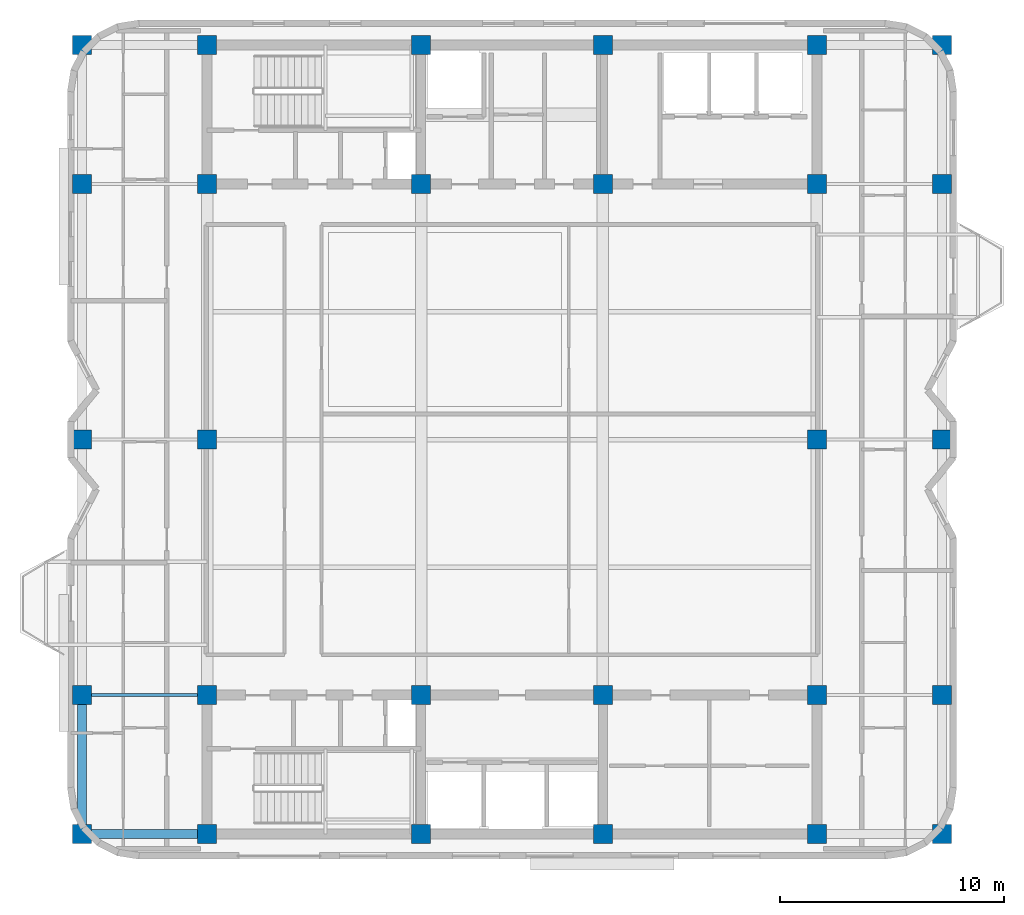
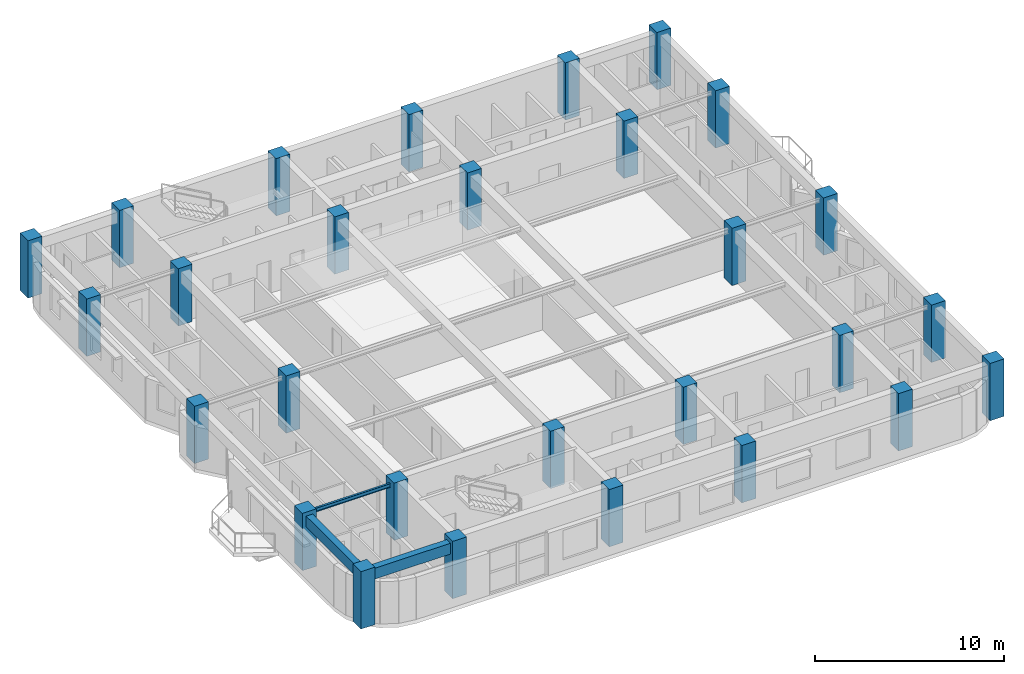
# One storey, part 1 of 12: 28 columns, 3 beams.
"""IFC4 building model written with IfcOpenShell, lengths in metres."""

import ifcopenshell
import ifcopenshell.guid

model = None  # the IFC model being written
_history = None  # IfcOwnerHistory: only IFC2X3 demands one
_inside = {}  # id of a spatial element -> (the spatial element, [elements in it])
_under = {}  # id of a project, library or spatial element -> (it, [spatial elements below it])
_declared = {}  # id of a project -> (the project, [libraries it declares])
_typed = {}  # id of a type object -> (the type object, [elements of that type])
_made_of = {}  # id of a material, layer set ... -> (it, [elements and type objects made of it])


def new_model(schema):
    """Start an empty IFC model of exactly this schema.

    Asked for "IFC4X3", IfcOpenShell would pick the latest addendum, in which some entities
    have other attributes; the version numbers below select the first issue.
    IFC2X3 requires an IfcOwnerHistory on every rooted entity: one is made here for all.
    """
    global model, _history
    if schema == "IFC4X3":
        model = ifcopenshell.file(schema_version=(4, 3, 0, 0))
    else:
        model = ifcopenshell.file(schema=schema)
    _inside.clear()
    _under.clear()
    _declared.clear()
    _typed.clear()
    _made_of.clear()
    _history = None
    if model.schema == "IFC2X3":
        org = make("IfcOrganization", Name="unknown")
        user = make(
            "IfcPersonAndOrganization",
            ThePerson=make("IfcPerson", FamilyName="unknown"),
            TheOrganization=org,
        )
        app = make(
            "IfcApplication",
            ApplicationDeveloper=org,
            Version="unknown",
            ApplicationFullName="unknown",
            ApplicationIdentifier="unknown",
        )
        _history = make(
            "IfcOwnerHistory",
            OwningUser=user,
            OwningApplication=app,
            ChangeAction="ADDED",
            CreationDate=0,
        )
    return model


def make(cls, **values):
    """One entity of the class cls with the attributes given. An attribute that is None is left unset."""
    return model.create_entity(
        cls, **{name: value for name, value in values.items() if value is not None}
    )


def rooted(cls, **values):
    """An entity with a GlobalId (a new one), such as an element, a storey or a relation."""
    return make(cls, GlobalId=ifcopenshell.guid.new(), OwnerHistory=_history, **values)


def si_unit(unit_type, name, prefix=None):
    """IfcSIUnit, for example si_unit("LENGTHUNIT", "METRE", prefix="MILLI")."""
    return make("IfcSIUnit", UnitType=unit_type, Prefix=prefix, Name=name)


def assignment(units):
    """IfcUnitAssignment: the units of a project."""
    return None if units is None else make("IfcUnitAssignment", Units=units)


def point(xyz):
    """IfcCartesianPoint."""
    return None if xyz is None else make("IfcCartesianPoint", Coordinates=xyz)


def direction(xyz):
    """IfcDirection."""
    return None if xyz is None else make("IfcDirection", DirectionRatios=xyz)


def frame(location, z_axis=None, x_axis=None):
    """IfcAxis2Placement3D, a coordinate frame: its origin and axes. An axis left out is left unset."""
    return make(
        "IfcAxis2Placement3D",
        Location=point(location),
        Axis=direction(z_axis),
        RefDirection=direction(x_axis),
    )


def frame_2d(location, x_axis=None):
    """IfcAxis2Placement2D, a coordinate frame in the plane: its origin and x axis."""
    return make(
        "IfcAxis2Placement2D", Location=point(location), RefDirection=direction(x_axis)
    )


def origin():
    """The frame at (0, 0, 0) with its axes left unset."""
    return frame((0.0, 0.0, 0.0))


def origin_2d():
    """The frame at (0, 0) in the plane with its x axis left unset."""
    return frame_2d((0.0, 0.0))


def place(relative_to, where):
    """IfcLocalPlacement: puts the frame where relative to a parent placement (None: the world)."""
    return make(
        "IfcLocalPlacement", PlacementRelTo=relative_to, RelativePlacement=where
    )


def context(
    kind, dimensions, precision=None, world=None, true_north=None, identifier=None
):
    """IfcGeometricRepresentationContext, for example the 3D "Model" context."""
    return make(
        "IfcGeometricRepresentationContext",
        ContextIdentifier=identifier,
        ContextType=kind,
        CoordinateSpaceDimension=dimensions,
        Precision=precision,
        WorldCoordinateSystem=world,
        TrueNorth=true_north,
    )


def subcontext(parent, identifier, kind, view, scale=None):
    """IfcGeometricRepresentationSubContext, for example "Body" below "Model"."""
    return make(
        "IfcGeometricRepresentationSubContext",
        ContextIdentifier=identifier,
        ContextType=kind,
        ParentContext=parent,
        TargetScale=scale,
        TargetView=view,
    )


def project(units=None, contexts=None):
    """IfcProject with its units and contexts."""
    return rooted(
        "IfcProject",
        Name="project",
        RepresentationContexts=contexts,
        UnitsInContext=assignment(units),
    )


def spatial(cls, under=None, at=None, **own):
    """A site, building, storey or space (cls), placed at a placement, below another one or the project."""
    s = rooted(cls, ObjectPlacement=at, **own)
    if under is not None:
        _under.setdefault(under.id(), (under, []))[1].append(s)
    return s


def profile(cls, at=None, kind="AREA", **sizes):
    """A parametric profile (cls). Its sizes go by their IFC names, for example OverallWidth=200.0."""
    return make(cls, ProfileType=kind, Position=at, **sizes)


def rectangle(**sizes):
    """IfcRectangleProfileDef."""
    return profile("IfcRectangleProfileDef", **sizes)


def i_section(**sizes):
    """IfcIShapeProfileDef."""
    return profile("IfcIShapeProfileDef", **sizes)


def extrude(swept, where, along, depth):
    """IfcExtrudedAreaSolid: the profile swept, set in the frame where, extruded along a direction by depth."""
    return make(
        "IfcExtrudedAreaSolid",
        SweptArea=swept,
        Position=where,
        ExtrudedDirection=direction(along),
        Depth=depth,
    )


def shape(context_of_items, identifier, shape_type, items):
    """IfcShapeRepresentation: the items that make up one representation, for example the "Body"."""
    return make(
        "IfcShapeRepresentation",
        ContextOfItems=context_of_items,
        RepresentationIdentifier=identifier,
        RepresentationType=shape_type,
        Items=items,
    )


def material(Name=None, Category=None):
    """IfcMaterial."""
    return make("IfcMaterial", Name=Name, Category=Category)


def material_profile(
    of_material, cross_section, Name=None, Category=None, Priority=None
):
    """IfcMaterialProfile: a cross section and its material."""
    return make(
        "IfcMaterialProfile",
        Name=Name,
        Material=of_material,
        Profile=cross_section,
        Priority=Priority,
        Category=Category,
    )


def profile_set(profiles, Name=None, composite=None):
    """IfcMaterialProfileSet."""
    return make(
        "IfcMaterialProfileSet",
        Name=Name,
        MaterialProfiles=profiles,
        CompositeProfile=composite,
    )


def made_of(thing, what):
    """Note that an element or type object is made of a material, layer set ...; save() writes the relation."""
    if what is not None:
        _made_of.setdefault(what.id(), (what, []))[1].append(thing)
    return thing


def type_object(cls, material=None, **own):
    """A type object (cls), such as IfcWallType, which elements share."""
    return made_of(rooted(cls, **own), material)


def element(
    cls,
    number,
    at=None,
    inside=None,
    cuts=None,
    type_object=None,
    material=None,
    context=None,
    identifier="Body",
    shape_type=None,
    held_by="IfcProductDefinitionShape",
    body=None,
    shapes=None,
    **own,
):
    """One element of the class cls, such as IfcWall. Its Tag is "e" and its number.

    at: its placement. inside: the storey or other place that contains it. cuts: it is an
    opening in that element (IfcRelVoidsElement). A single representation is given by context,
    identifier, shape_type and body (its items); several are given by shapes. held_by: the class
    of the entity that holds the representations. save() writes the other relations.
    """
    e = rooted(cls, Tag="e%d" % number, ObjectPlacement=at, **own)
    if body is not None:
        shapes = [shape(context, identifier, shape_type, body)]
    if shapes is not None:
        e.Representation = make(held_by, Representations=shapes)
    if inside is not None:
        _inside.setdefault(inside.id(), (inside, []))[1].append(e)
    if cuts is not None:
        rooted(
            "IfcRelVoidsElement", RelatingBuildingElement=cuts, RelatedOpeningElement=e
        )
    if type_object is not None:
        _typed.setdefault(type_object.id(), (type_object, []))[1].append(e)
    return made_of(e, material)


def aggregate(whole, parts):
    """IfcRelAggregates: a whole, such as a stair, and the parts it consists of."""
    return rooted("IfcRelAggregates", RelatingObject=whole, RelatedObjects=parts)


def save(model, path):
    """Write the relations noted so far, then the file.

    IfcRelAggregates (storeys below a building ...), IfcRelContainedInSpatialStructure (elements
    in a storey), IfcRelDefinesByType, IfcRelAssociatesMaterial and IfcRelDeclares: one each for
    every whole, place, type object, material and project.
    """
    for whole, parts in _under.values():
        aggregate(whole, parts)
    for where, things in _inside.values():
        rooted(
            "IfcRelContainedInSpatialStructure",
            RelatedElements=things,
            RelatingStructure=where,
        )
    for kind, things in _typed.values():
        rooted("IfcRelDefinesByType", RelatedObjects=things, RelatingType=kind)
    for what, things in _made_of.values():
        rooted("IfcRelAssociatesMaterial", RelatedObjects=things, RelatingMaterial=what)
    for by, libraries in _declared.values():
        rooted("IfcRelDeclares", RelatingContext=by, RelatedDefinitions=libraries)
    model.write(path)


model = new_model("IFC4")

# Units and contexts
model_context = context("Model", 3, precision=1e-05, world=origin(), true_north=direction((0.0, 1.0)))
body_context = subcontext(model_context, "Body", "Model", "MODEL_VIEW")
ifc_project = project(units=[si_unit("LENGTHUNIT", "METRE"), si_unit("AREAUNIT", "SQUARE_METRE"), si_unit("VOLUMEUNIT", "CUBIC_METRE"), si_unit("PLANEANGLEUNIT", "RADIAN"), si_unit("MASSUNIT", "GRAM", prefix="KILO")], contexts=[model_context])

# Site, building, storey
site_placement = place(None, origin())
site = spatial("IfcSite", under=ifc_project, at=site_placement, CompositionType="ELEMENT")
building_placement = place(site_placement, origin())
building = spatial("IfcBuilding", under=site, at=building_placement, Name="Svetorya Sky Lyceum", CompositionType="ELEMENT")
storey_placement = place(building_placement, frame((0.0, 0.0, 236.89990234375)))
storey = spatial("IfcBuildingStorey", under=building, at=storey_placement, Name="L59", CompositionType="ELEMENT", Elevation=236.89990234375)

# Columns
ifc_material_1 = material(Name="Concrete C50/60", Category="concrete")
ifc_material_profile_1 = material_profile(ifc_material_1, rectangle(XDim=0.85009765625, YDim=0.85009765625, at=origin_2d()), Name="RC COL 850x850")
ifc_profile_set_1 = profile_set([ifc_material_profile_1], Name="Concrete C50/60")
column_type = type_object("IfcColumnType", Name="COL-RC-850", PredefinedType="COLUMN", material=ifc_profile_set_1)
for number, where, z_axis, x_axis, name in (
    (1, (25.60009765625, 10.60009765625, 0.0), (0.0, 0.0, 1.0), (1.0, 0.0, 0.0), "L59 Core Column CS-11"),
    (2, (25.60009765625, 16.800048828125, 0.0), (0.0, 0.0, 1.0), (1.0, 0.0, 0.0), "L59 Core Column CS-12"),
    (3, (35.14990234375, 10.60009765625, 0.0), (0.0, 0.0, 1.0), (1.0, 0.0, 0.0), "L59 Core Column CS-21"),
    (4, (35.14990234375, 16.800048828125, 0.0), (0.0, 0.0, 1.0), (1.0, 0.0, 0.0), "L59 Core Column CS-22"),
    (5, (43.25, 10.60009765625, 0.0), (0.0, 0.0, 1.0), (1.0, 0.0, 0.0), "L59 Core Column CS-31"),
    (6, (43.25, 16.800048828125, 0.0), (0.0, 0.0, 1.0), (1.0, 0.0, 0.0), "L59 Core Column CS-32"),
    (7, (52.800048828125, 10.60009765625, 0.0), (0.0, 0.0, 1.0), (1.0, 0.0, 0.0), "L59 Core Column CS-41"),
    (8, (52.800048828125, 16.800048828125, 0.0), (0.0, 0.0, 1.0), (1.0, 0.0, 0.0), "L59 Core Column CS-42"),
    (9, (25.60009765625, 39.60009765625, 0.0), (0.0, 0.0, 1.0), (1.0, 0.0, 0.0), "L59 Core Column CN-11"),
    (10, (25.60009765625, 45.800048828125, 0.0), (0.0, 0.0, 1.0), (1.0, 0.0, 0.0), "L59 Core Column CN-12"),
    (11, (35.14990234375, 39.60009765625, 0.0), (0.0, 0.0, 1.0), (1.0, 0.0, 0.0), "L59 Core Column CN-21"),
    (12, (35.14990234375, 45.800048828125, 0.0), (0.0, 0.0, 1.0), (1.0, 0.0, 0.0), "L59 Core Column CN-22"),
    (13, (43.25, 39.60009765625, 0.0), (0.0, 0.0, 1.0), (1.0, 0.0, 0.0), "L59 Core Column CN-31"),
    (14, (43.25, 45.800048828125, 0.0), (0.0, 0.0, 1.0), (1.0, 0.0, 0.0), "L59 Core Column CN-32"),
    (15, (52.800048828125, 39.60009765625, 0.0), (0.0, 0.0, 1.0), (1.0, 0.0, 0.0), "L59 Core Column CN-41"),
    (16, (52.800048828125, 45.800048828125, 0.0), (0.0, 0.0, 1.0), (1.0, 0.0, 0.0), "L59 Core Column CN-42"),
    (17, (25.60009765625, 28.199951171875, 0.0), (0.0, 0.0, 1.0), (1.0, 0.0, 0.0), "L59 Core Column CM-W"),
    (18, (52.800048828125, 28.199951171875, 0.0), (0.0, 0.0, 1.0), (1.0, 0.0, 0.0), "L59 Core Column CM-E"),
    (19, (20.010009765625, 10.60009765625, 0.0), (0.0, 0.0, 1.0), (1.0, 0.0, 0.0), "L59 Perimeter Column W1"),
    (20, (58.389892578125, 10.60009765625, 0.0), (0.0, 0.0, 1.0), (1.0, 0.0, 0.0), "L59 Perimeter Column E1"),
    (21, (20.010009765625, 16.800048828125, 0.0), (0.0, 0.0, 1.0), (1.0, 0.0, 0.0), "L59 Perimeter Column W2"),
    (22, (58.389892578125, 16.800048828125, 0.0), (0.0, 0.0, 1.0), (1.0, 0.0, 0.0), "L59 Perimeter Column E2"),
    (23, (20.010009765625, 28.199951171875, 0.0), (0.0, 0.0, 1.0), (1.0, 0.0, 0.0), "L59 Perimeter Column W3"),
    (24, (58.389892578125, 28.199951171875, 0.0), (0.0, 0.0, 1.0), (1.0, 0.0, 0.0), "L59 Perimeter Column E3"),
    (25, (20.010009765625, 39.60009765625, 0.0), (0.0, 0.0, 1.0), (1.0, 0.0, 0.0), "L59 Perimeter Column W4"),
    (26, (58.389892578125, 39.60009765625, 0.0), (0.0, 0.0, 1.0), (1.0, 0.0, 0.0), "L59 Perimeter Column E4"),
    (27, (20.010009765625, 45.800048828125, 0.0), (0.0, 0.0, 1.0), (1.0, 0.0, 0.0), "L59 Perimeter Column W5"),
    (28, (58.389892578125, 45.800048828125, 0.0), (0.0, 0.0, 1.0), (1.0, 0.0, 0.0), "L59 Perimeter Column E5"),
):
    element("IfcColumn", number, at=place(storey_placement, frame(where, z_axis=z_axis, x_axis=x_axis)), inside=storey, type_object=column_type, Name=name, PredefinedType="COLUMN", context=body_context, shape_type="SweptSolid", body=[
        extrude(rectangle(XDim=0.85009765625, YDim=0.85009765625, at=origin_2d()), origin(), (0.0, 0.0, 1.0), 3.7001953125),
    ])

# Beams
ifc_material_profile_2 = material_profile(ifc_material_1, rectangle(XDim=0.39990234375, YDim=0.699951171875, at=origin_2d()), Name="RC SPANDREL 400x700")
ifc_profile_set_2 = profile_set([ifc_material_profile_2], Name="Concrete C50/60")
beam_type_1 = type_object("IfcBeamType", Name="BM-SPN-700", PredefinedType="SPANDREL", material=ifc_profile_set_2)
beam_1_placement = place(storey_placement, frame((20.010009765625, 10.60009765625, 3.10009765625), z_axis=(1.0, 0.0, 0.0), x_axis=(0.0, 1.0, 0.0)))
element("IfcBeam", 29, at=beam_1_placement, inside=storey, type_object=beam_type_1, Name="L59 Tie Spandrel SW", PredefinedType="SPANDREL", context=body_context, shape_type="SweptSolid", body=[
    extrude(rectangle(XDim=0.39990234375, YDim=0.699951171875, at=origin_2d()), origin(), (0.0, 0.0, 1.0), 5.590087890625),
])
beam_2_placement = place(storey_placement, frame((20.010009765625, 10.60009765625, 3.10009765625), z_axis=(0.0, 1.0, 0.0), x_axis=(-1.0, 0.0, 0.0)))
element("IfcBeam", 30, at=beam_2_placement, inside=storey, type_object=beam_type_1, Name="L59 West Spandrel 1", PredefinedType="SPANDREL", context=body_context, shape_type="SweptSolid", body=[
    extrude(rectangle(XDim=0.39990234375, YDim=0.699951171875, at=origin_2d()), origin(), (0.0, 0.0, 1.0), 6.199951171875),
])
ifc_material_2 = material(Name="Steel S355", Category="steel")
ifc_material_profile_3 = material_profile(ifc_material_2, i_section(OverallWidth=0.1240234375, OverallDepth=0.248046875, WebThickness=0.006103515625, FlangeThickness=0.009521484375, at=origin_2d()), Name="GOST 25B2")
ifc_profile_set_3 = profile_set([ifc_material_profile_3], Name="Steel S355")
beam_type_2 = type_object("IfcBeamType", Name="BM-STL-25B2", PredefinedType="JOIST", material=ifc_profile_set_3)
beam_3_placement = place(storey_placement, frame((20.010009765625, 16.800048828125, 3.326171875), z_axis=(1.0, 0.0, 0.0), x_axis=(0.0, 1.0, 0.0)))
element("IfcBeam", 31, at=beam_3_placement, inside=storey, type_object=beam_type_2, Name="L59 West Wing Floor Joist W2", PredefinedType="JOIST", context=body_context, shape_type="SweptSolid", body=[
    extrude(i_section(OverallWidth=0.1240234375, OverallDepth=0.248046875, WebThickness=0.006103515625, FlangeThickness=0.009521484375, at=origin_2d()), origin(), (0.0, 0.0, 1.0), 5.590087890625),
])

save(model, "model.ifc")
